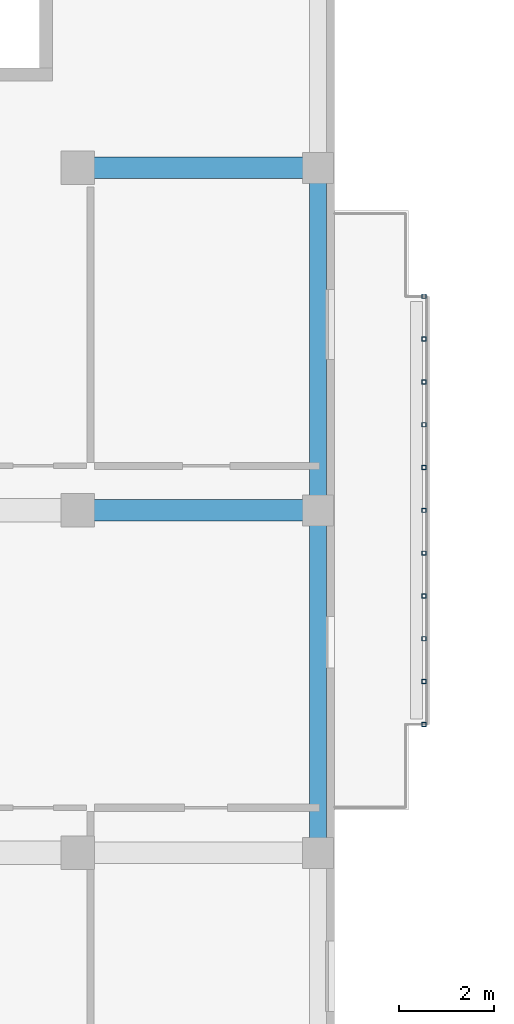
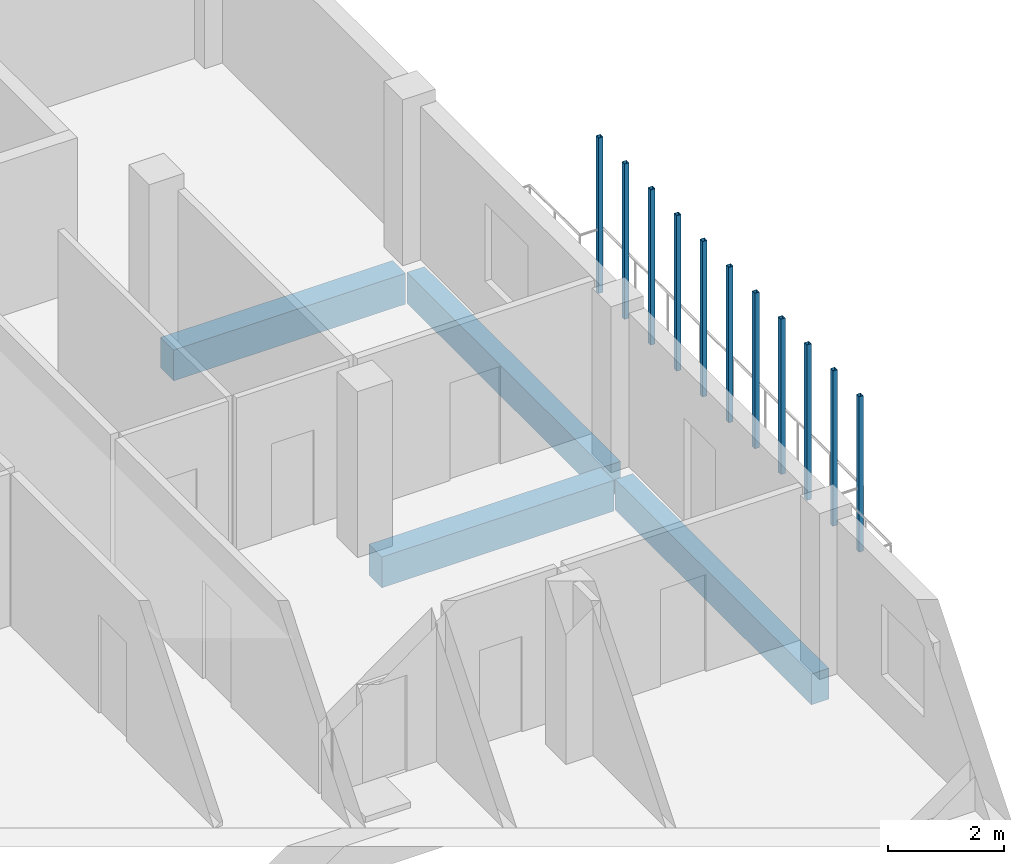
# One storey, part 21 of 73: 11 members, 4 beams.
"""IFC4 building model written with IfcOpenShell, lengths in metres."""

import ifcopenshell
import ifcopenshell.guid

model = None  # the IFC model being written
_history = None  # IfcOwnerHistory: only IFC2X3 demands one
_inside = {}  # id of a spatial element -> (the spatial element, [elements in it])
_under = {}  # id of a project, library or spatial element -> (it, [spatial elements below it])
_declared = {}  # id of a project -> (the project, [libraries it declares])
_typed = {}  # id of a type object -> (the type object, [elements of that type])
_made_of = {}  # id of a material, layer set ... -> (it, [elements and type objects made of it])


def new_model(schema):
    """Start an empty IFC model of exactly this schema.

    Asked for "IFC4X3", IfcOpenShell would pick the latest addendum, in which some entities
    have other attributes; the version numbers below select the first issue.
    IFC2X3 requires an IfcOwnerHistory on every rooted entity: one is made here for all.
    """
    global model, _history
    if schema == "IFC4X3":
        model = ifcopenshell.file(schema_version=(4, 3, 0, 0))
    else:
        model = ifcopenshell.file(schema=schema)
    _inside.clear()
    _under.clear()
    _declared.clear()
    _typed.clear()
    _made_of.clear()
    _history = None
    if model.schema == "IFC2X3":
        org = make("IfcOrganization", Name="unknown")
        user = make(
            "IfcPersonAndOrganization",
            ThePerson=make("IfcPerson", FamilyName="unknown"),
            TheOrganization=org,
        )
        app = make(
            "IfcApplication",
            ApplicationDeveloper=org,
            Version="unknown",
            ApplicationFullName="unknown",
            ApplicationIdentifier="unknown",
        )
        _history = make(
            "IfcOwnerHistory",
            OwningUser=user,
            OwningApplication=app,
            ChangeAction="ADDED",
            CreationDate=0,
        )
    return model


def make(cls, **values):
    """One entity of the class cls with the attributes given. An attribute that is None is left unset."""
    return model.create_entity(
        cls, **{name: value for name, value in values.items() if value is not None}
    )


def rooted(cls, **values):
    """An entity with a GlobalId (a new one), such as an element, a storey or a relation."""
    return make(cls, GlobalId=ifcopenshell.guid.new(), OwnerHistory=_history, **values)


def si_unit(unit_type, name, prefix=None):
    """IfcSIUnit, for example si_unit("LENGTHUNIT", "METRE", prefix="MILLI")."""
    return make("IfcSIUnit", UnitType=unit_type, Prefix=prefix, Name=name)


def derived_unit(unit_type, elements):
    """IfcDerivedUnit: a product of units, each with its exponent."""
    return make(
        "IfcDerivedUnit",
        Elements=[
            make("IfcDerivedUnitElement", Unit=unit, Exponent=power)
            for unit, power in elements
        ],
        UnitType=unit_type,
    )


def assignment(units):
    """IfcUnitAssignment: the units of a project."""
    return None if units is None else make("IfcUnitAssignment", Units=units)


def point(xyz):
    """IfcCartesianPoint."""
    return None if xyz is None else make("IfcCartesianPoint", Coordinates=xyz)


def direction(xyz):
    """IfcDirection."""
    return None if xyz is None else make("IfcDirection", DirectionRatios=xyz)


def frame(location, z_axis=None, x_axis=None):
    """IfcAxis2Placement3D, a coordinate frame: its origin and axes. An axis left out is left unset."""
    return make(
        "IfcAxis2Placement3D",
        Location=point(location),
        Axis=direction(z_axis),
        RefDirection=direction(x_axis),
    )


def frame_2d(location, x_axis=None):
    """IfcAxis2Placement2D, a coordinate frame in the plane: its origin and x axis."""
    return make(
        "IfcAxis2Placement2D", Location=point(location), RefDirection=direction(x_axis)
    )


def origin():
    """The frame at (0, 0, 0) with its axes left unset."""
    return frame((0.0, 0.0, 0.0))


def origin_2d():
    """The frame at (0, 0) in the plane with its x axis left unset."""
    return frame_2d((0.0, 0.0))


def place(relative_to, where):
    """IfcLocalPlacement: puts the frame where relative to a parent placement (None: the world)."""
    return make(
        "IfcLocalPlacement", PlacementRelTo=relative_to, RelativePlacement=where
    )


def context(
    kind, dimensions, precision=None, world=None, true_north=None, identifier=None
):
    """IfcGeometricRepresentationContext, for example the 3D "Model" context."""
    return make(
        "IfcGeometricRepresentationContext",
        ContextIdentifier=identifier,
        ContextType=kind,
        CoordinateSpaceDimension=dimensions,
        Precision=precision,
        WorldCoordinateSystem=world,
        TrueNorth=true_north,
    )


def subcontext(parent, identifier, kind, view, scale=None):
    """IfcGeometricRepresentationSubContext, for example "Body" below "Model"."""
    return make(
        "IfcGeometricRepresentationSubContext",
        ContextIdentifier=identifier,
        ContextType=kind,
        ParentContext=parent,
        TargetScale=scale,
        TargetView=view,
    )


def project(units=None, contexts=None):
    """IfcProject with its units and contexts."""
    return rooted(
        "IfcProject",
        Name="project",
        RepresentationContexts=contexts,
        UnitsInContext=assignment(units),
    )


def spatial(cls, under=None, at=None, **own):
    """A site, building, storey or space (cls), placed at a placement, below another one or the project."""
    s = rooted(cls, ObjectPlacement=at, **own)
    if under is not None:
        _under.setdefault(under.id(), (under, []))[1].append(s)
    return s


def profile(cls, at=None, kind="AREA", **sizes):
    """A parametric profile (cls). Its sizes go by their IFC names, for example OverallWidth=200.0."""
    return make(cls, ProfileType=kind, Position=at, **sizes)


def rectangle(**sizes):
    """IfcRectangleProfileDef."""
    return profile("IfcRectangleProfileDef", **sizes)


def hollow_rectangle(**sizes):
    """IfcRectangleHollowProfileDef."""
    return profile("IfcRectangleHollowProfileDef", **sizes)


def extrude(swept, where, along, depth):
    """IfcExtrudedAreaSolid: the profile swept, set in the frame where, extruded along a direction by depth."""
    return make(
        "IfcExtrudedAreaSolid",
        SweptArea=swept,
        Position=where,
        ExtrudedDirection=direction(along),
        Depth=depth,
    )


def shape(context_of_items, identifier, shape_type, items):
    """IfcShapeRepresentation: the items that make up one representation, for example the "Body"."""
    return make(
        "IfcShapeRepresentation",
        ContextOfItems=context_of_items,
        RepresentationIdentifier=identifier,
        RepresentationType=shape_type,
        Items=items,
    )


def material(Name=None, Category=None):
    """IfcMaterial."""
    return make("IfcMaterial", Name=Name, Category=Category)


def material_profile(
    of_material, cross_section, Name=None, Category=None, Priority=None
):
    """IfcMaterialProfile: a cross section and its material."""
    return make(
        "IfcMaterialProfile",
        Name=Name,
        Material=of_material,
        Profile=cross_section,
        Priority=Priority,
        Category=Category,
    )


def profile_set(profiles, Name=None, composite=None):
    """IfcMaterialProfileSet."""
    return make(
        "IfcMaterialProfileSet",
        Name=Name,
        MaterialProfiles=profiles,
        CompositeProfile=composite,
    )


def made_of(thing, what):
    """Note that an element or type object is made of a material, layer set ...; save() writes the relation."""
    if what is not None:
        _made_of.setdefault(what.id(), (what, []))[1].append(thing)
    return thing


def type_object(cls, material=None, **own):
    """A type object (cls), such as IfcWallType, which elements share."""
    return made_of(rooted(cls, **own), material)


def element(
    cls,
    number,
    at=None,
    inside=None,
    cuts=None,
    type_object=None,
    material=None,
    context=None,
    identifier="Body",
    shape_type=None,
    held_by="IfcProductDefinitionShape",
    body=None,
    shapes=None,
    **own,
):
    """One element of the class cls, such as IfcWall. Its Tag is "e" and its number.

    at: its placement. inside: the storey or other place that contains it. cuts: it is an
    opening in that element (IfcRelVoidsElement). A single representation is given by context,
    identifier, shape_type and body (its items); several are given by shapes. held_by: the class
    of the entity that holds the representations. save() writes the other relations.
    """
    e = rooted(cls, Tag="e%d" % number, ObjectPlacement=at, **own)
    if body is not None:
        shapes = [shape(context, identifier, shape_type, body)]
    if shapes is not None:
        e.Representation = make(held_by, Representations=shapes)
    if inside is not None:
        _inside.setdefault(inside.id(), (inside, []))[1].append(e)
    if cuts is not None:
        rooted(
            "IfcRelVoidsElement", RelatingBuildingElement=cuts, RelatedOpeningElement=e
        )
    if type_object is not None:
        _typed.setdefault(type_object.id(), (type_object, []))[1].append(e)
    return made_of(e, material)


def aggregate(whole, parts):
    """IfcRelAggregates: a whole, such as a stair, and the parts it consists of."""
    return rooted("IfcRelAggregates", RelatingObject=whole, RelatedObjects=parts)


def save(model, path):
    """Write the relations noted so far, then the file.

    IfcRelAggregates (storeys below a building ...), IfcRelContainedInSpatialStructure (elements
    in a storey), IfcRelDefinesByType, IfcRelAssociatesMaterial and IfcRelDeclares: one each for
    every whole, place, type object, material and project.
    """
    for whole, parts in _under.values():
        aggregate(whole, parts)
    for where, things in _inside.values():
        rooted(
            "IfcRelContainedInSpatialStructure",
            RelatedElements=things,
            RelatingStructure=where,
        )
    for kind, things in _typed.values():
        rooted("IfcRelDefinesByType", RelatedObjects=things, RelatingType=kind)
    for what, things in _made_of.values():
        rooted("IfcRelAssociatesMaterial", RelatedObjects=things, RelatingMaterial=what)
    for by, libraries in _declared.values():
        rooted("IfcRelDeclares", RelatingContext=by, RelatedDefinitions=libraries)
    model.write(path)


model = new_model("IFC4")

# Units and contexts
model_context = context("Model", 3, precision=1e-05, world=origin(), true_north=direction((0.0, 1.0)))
body_context = subcontext(model_context, "Body", "Model", "MODEL_VIEW")
ifc_project = project(units=[si_unit("LENGTHUNIT", "METRE"), si_unit("AREAUNIT", "SQUARE_METRE"), si_unit("VOLUMEUNIT", "CUBIC_METRE"), si_unit("PLANEANGLEUNIT", "RADIAN"), si_unit("MASSUNIT", "GRAM", prefix="KILO"), derived_unit("THERMALTRANSMITTANCEUNIT", [(si_unit("MASSUNIT", "GRAM", prefix="KILO"), 1), (si_unit("TIMEUNIT", "SECOND"), -3), (si_unit("THERMODYNAMICTEMPERATUREUNIT", "KELVIN"), -1)])], contexts=[model_context])

# Site, building, storey
site_placement = place(None, origin())
site = spatial("IfcSite", under=ifc_project, at=site_placement, CompositionType="ELEMENT")
building_placement = place(site_placement, origin())
building = spatial("IfcBuilding", under=site, at=building_placement, Name="Ochrekiln Boulevard Commons", CompositionType="ELEMENT")
storey_placement = place(building_placement, frame((0.0, 0.0, 8.574951171875)))
storey = spatial("IfcBuildingStorey", under=building, at=storey_placement, Name="L02", CompositionType="ELEMENT", Elevation=8.574951171875)

# Beams
ifc_material_1 = material(Name="Concrete C35/45", Category="concrete")
ifc_material_profile_1 = material_profile(ifc_material_1, rectangle(XDim=0.449951171875, YDim=0.64990234375, at=origin_2d()), Name="RC-BM-450x650")
ifc_profile_set_1 = profile_set([ifc_material_profile_1], Name="Concrete C35/45")
beam_type_1 = type_object("IfcBeamType", Name="BM-RC-450x650", PredefinedType="BEAM", material=ifc_profile_set_1)
for number, where, z_axis, x_axis, name in (
    (1, (16.409912109375, 104.39990234375, -0.5849609375), (1.0, 0.0, 0.0), (0.0, 1.0, 0.0), "Block A L02 Beam B-4565 X17"),
    (2, (16.409912109375, 111.60009765625, -0.5849609375), (1.0, 0.0, 0.0), (0.0, 1.0, 0.0), "Block A L02 Beam B-4565 X19"),
):
    element("IfcBeam", number, at=place(storey_placement, frame(where, z_axis=z_axis, x_axis=x_axis)), inside=storey, type_object=beam_type_1, Name=name, PredefinedType="BEAM", context=body_context, shape_type="SweptSolid", body=[
        extrude(rectangle(XDim=0.449951171875, YDim=0.64990234375, at=origin_2d()), origin(), (0.0, 0.0, 1.0), 4.630126953125),
    ])

# Members
ifc_material_2 = material(Name="Steel A500 Grade C", Category="steel")
ifc_material_profile_2 = material_profile(ifc_material_2, hollow_rectangle(XDim=0.090087890625, YDim=0.090087890625, WallThickness=0.00634765625, at=origin_2d()), Name="HSS90X90X6.4")
ifc_profile_set_2 = profile_set([ifc_material_profile_2], Name="Steel A500 Grade C")
member_type = type_object("IfcMemberType", Name="MEM-PST-HSS90", PredefinedType="POST", material=ifc_profile_set_2)
for number, where, z_axis, x_axis, name in (
    (3, (23.47998046875, 99.89990234375, 0.0), (0.0, 0.0, 1.0), (1.0, 0.0, 0.0), "Block A L02 Slim Vertical Balcony Post (56)"),
    (4, (23.47998046875, 100.800048828125, 0.0), (0.0, 0.0, 1.0), (1.0, 0.0, 0.0), "Block A L02 Slim Vertical Balcony Post (57)"),
    (5, (23.47998046875, 101.699951171875, 0.0), (0.0, 0.0, 1.0), (1.0, 0.0, 0.0), "Block A L02 Slim Vertical Balcony Post (58)"),
    (6, (23.47998046875, 102.60009765625, 0.0), (0.0, 0.0, 1.0), (1.0, 0.0, 0.0), "Block A L02 Slim Vertical Balcony Post (59)"),
    (7, (23.47998046875, 103.5, 0.0), (0.0, 0.0, 1.0), (1.0, 0.0, 0.0), "Block A L02 Slim Vertical Balcony Post (60)"),
    (8, (23.47998046875, 104.39990234375, 0.0), (0.0, 0.0, 1.0), (1.0, 0.0, 0.0), "Block A L02 Slim Vertical Balcony Post (61)"),
    (9, (23.47998046875, 105.300048828125, 0.0), (0.0, 0.0, 1.0), (1.0, 0.0, 0.0), "Block A L02 Slim Vertical Balcony Post (62)"),
    (10, (23.47998046875, 106.199951171875, 0.0), (0.0, 0.0, 1.0), (1.0, 0.0, 0.0), "Block A L02 Slim Vertical Balcony Post (63)"),
    (11, (23.47998046875, 107.10009765625, 0.0), (0.0, 0.0, 1.0), (1.0, 0.0, 0.0), "Block A L02 Slim Vertical Balcony Post (64)"),
    (12, (23.47998046875, 108.0, 0.0), (0.0, 0.0, 1.0), (1.0, 0.0, 0.0), "Block A L02 Slim Vertical Balcony Post (65)"),
    (13, (23.47998046875, 108.89990234375, 0.0), (0.0, 0.0, 1.0), (1.0, 0.0, 0.0), "Block A L02 Slim Vertical Balcony Post (66)"),
):
    element("IfcMember", number, at=place(storey_placement, frame(where, z_axis=z_axis, x_axis=x_axis)), inside=storey, type_object=member_type, Name=name, PredefinedType="POST", context=body_context, shape_type="SweptSolid", body=[
        extrude(hollow_rectangle(XDim=0.090087890625, YDim=0.090087890625, WallThickness=0.00634765625, at=origin_2d()), origin(), (0.0, 0.0, 1.0), 3.280029296875),
    ])

# Beams
ifc_material_3 = material(Name="Concrete C40/50", Category="concrete")
ifc_material_profile_3 = material_profile(ifc_material_3, rectangle(XDim=0.35009765625, YDim=0.64990234375, at=origin_2d()), Name="RC-SPN-350x650")
ifc_profile_set_3 = profile_set([ifc_material_profile_3], Name="Concrete C40/50")
beam_type_2 = type_object("IfcBeamType", Name="SPN-RC-350x650", PredefinedType="SPANDREL", material=ifc_profile_set_3)
beam_1_placement = place(storey_placement, frame((21.25, 97.409912109375, -0.5849609375), z_axis=(0.0, 1.0, 0.0), x_axis=(-1.0, 0.0, 0.0)))
element("IfcBeam", 14, at=beam_1_placement, inside=storey, type_object=beam_type_2, Name="Block A L02 Beam SP-3565 Y34", PredefinedType="SPANDREL", context=body_context, shape_type="SweptSolid", body=[
    extrude(rectangle(XDim=0.35009765625, YDim=0.64990234375, at=origin_2d()), origin(), (0.0, 0.0, 1.0), 6.780029296875),
])
beam_2_placement = place(storey_placement, frame((21.25, 104.610107421875, -0.5849609375), z_axis=(0.0, 1.0, 0.0), x_axis=(-1.0, 0.0, 0.0)))
element("IfcBeam", 15, at=beam_2_placement, inside=storey, type_object=beam_type_2, Name="Block A L02 Beam SP-3565 Y35", PredefinedType="SPANDREL", context=body_context, shape_type="SweptSolid", body=[
    extrude(rectangle(XDim=0.35009765625, YDim=0.64990234375, at=origin_2d()), origin(), (0.0, 0.0, 1.0), 6.77978515625),
])

save(model, "model.ifc")
